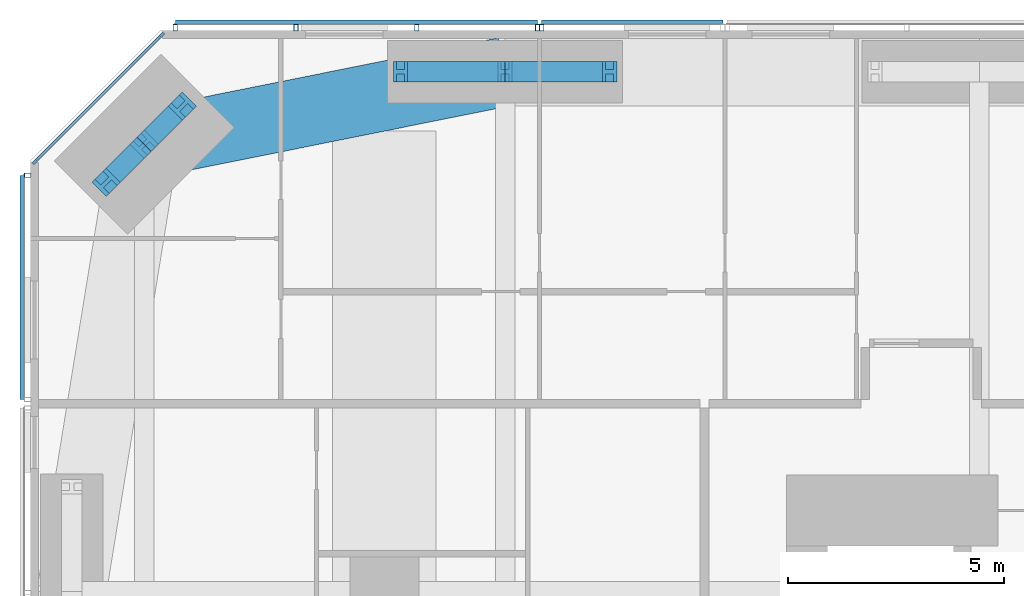
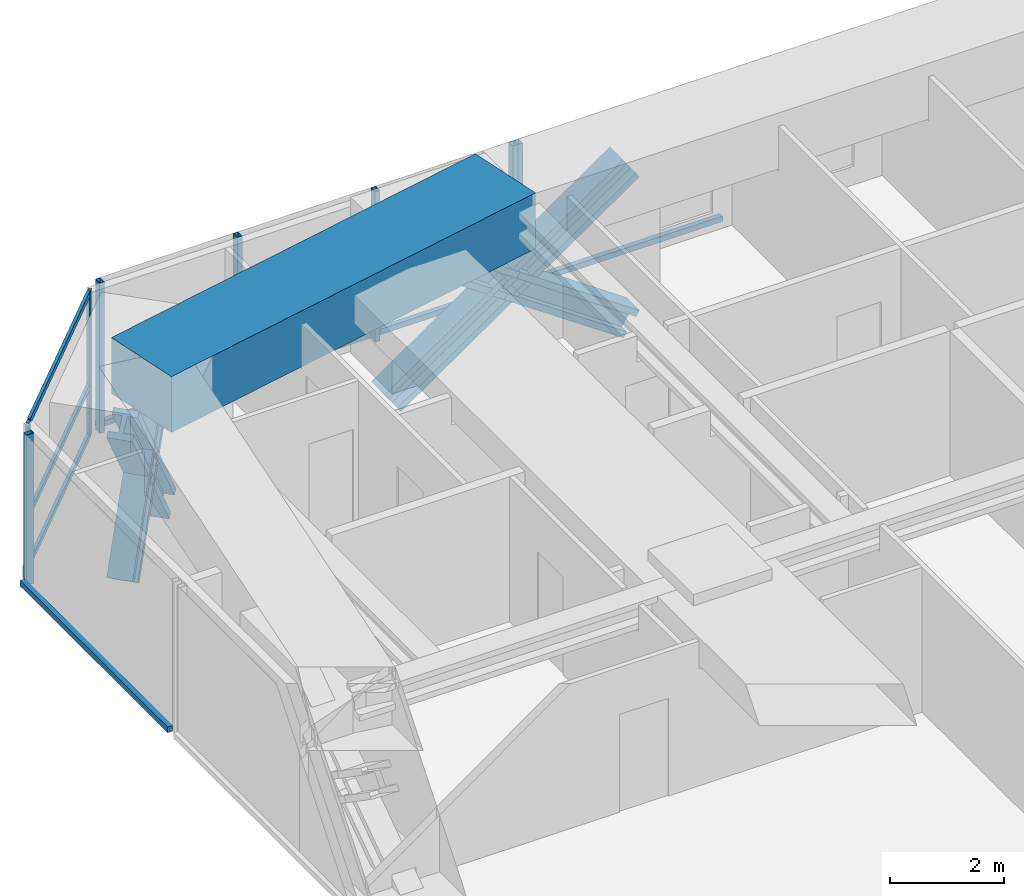
# One storey, part 11 of 23: 22 members, 1 beam, 4 elements without a shape of their own.
"""IFC4 building model written with IfcOpenShell, lengths in metres."""

from ifc_helpers import new_model, si_unit, direction, frame, origin, origin_2d, place, context, subcontext, project, spatial, rectangle, hollow_rectangle, i_section, extrude, material, material_profile, profile_set, type_object, element, aggregate, save


model = new_model("IFC4")

# Units and contexts
model_context = context("Model", 3, precision=1e-05, world=origin(), true_north=direction((0.0, 1.0)))
body_context = subcontext(model_context, "Body", "Model", "MODEL_VIEW")
ifc_project = project(units=[si_unit("LENGTHUNIT", "METRE"), si_unit("AREAUNIT", "SQUARE_METRE"), si_unit("VOLUMEUNIT", "CUBIC_METRE"), si_unit("PLANEANGLEUNIT", "RADIAN"), si_unit("MASSUNIT", "GRAM", prefix="KILO")], contexts=[model_context])

# Site, building, storey
site_placement = place(None, origin())
site = spatial("IfcSite", under=ifc_project, at=site_placement, CompositionType="ELEMENT")
building_placement = place(site_placement, origin())
building = spatial("IfcBuilding", under=site, at=building_placement, Name="Jalousie Tower", CompositionType="ELEMENT")
storey_placement = place(building_placement, frame((0.0, 0.0, 24.35009765625)))
storey = spatial("IfcBuildingStorey", under=building, at=storey_placement, Name="L05", CompositionType="ELEMENT", Elevation=24.35009765625)

# Curtain wall, members
ifc_material_1 = material(Name="Aluminium curtain wall", Category="aluminium")
curtain_wall_type_1 = type_object("IfcCurtainWallType", Name="CORNER WINDOW WALL", PredefinedType="USERDEFINED", material=ifc_material_1)
curtain_wall_1_placement = place(storey_placement, origin())
curtain_wall_1 = element("IfcCurtainWall", 1, at=curtain_wall_1_placement, inside=storey, type_object=curtain_wall_type_1, Name="Corner Window Wall L05 6", ObjectType="CORNER WINDOW WALL", PredefinedType="USERDEFINED")
ifc_material_2 = material(Name="Aluminium mullion", Category="aluminium")
ifc_material_profile_1 = material_profile(ifc_material_2, rectangle(XDim=0.06005859375, YDim=0.14990234375, at=origin_2d()), Name="MULLION 60x150")
ifc_profile_set_1 = profile_set([ifc_material_profile_1], Name="Aluminium mullion")
member_type_1 = type_object("IfcMemberType", Name="CORNER WINDOW WALL MULLION", PredefinedType="MULLION", material=ifc_profile_set_1)
member_1_placement = place(storey_placement, frame((5.030029296875, 37.891357421875, 0.0), z_axis=(0.0, 0.0, 1.0), x_axis=(0.707106781187, -0.707106781187, 0.0)))
member_1 = element("IfcMember", 2, at=member_1_placement, type_object=member_type_1, Name="CW-C mullion 1", PredefinedType="MULLION", context=body_context, shape_type="SweptSolid", body=[
    extrude(rectangle(XDim=0.06005859375, YDim=0.14990234375, at=origin_2d()), origin(), (0.0, 0.0, 1.0), 3.10986328125),
])
member_2_placement = place(storey_placement, frame((2.108642578125, 34.969970703125, 0.0), z_axis=(0.0, 0.0, 1.0), x_axis=(0.707106781187, -0.707106781187, 0.0)))
member_2 = element("IfcMember", 3, at=member_2_placement, type_object=member_type_1, Name="CW-C mullion 2", PredefinedType="MULLION", context=body_context, shape_type="SweptSolid", body=[
    extrude(rectangle(XDim=0.06005859375, YDim=0.14990234375, at=origin_2d()), origin(), (0.0, 0.0, 1.0), 3.10986328125),
])
ifc_material_3 = material(Name="Aluminium transom", Category="aluminium")
ifc_material_profile_2 = material_profile(ifc_material_3, rectangle(XDim=0.06005859375, YDim=0.1201171875, at=origin_2d()), Name="TRANSOM 60x120")
ifc_profile_set_2 = profile_set([ifc_material_profile_2], Name="Aluminium transom")
member_type_2 = type_object("IfcMemberType", Name="CORNER WINDOW WALL TRANSOM", PredefinedType="USERDEFINED", material=ifc_profile_set_2)
member_3_placement = place(storey_placement, frame((5.0087890625, 37.8701171875, 0.02978515625), z_axis=(-0.707106781187, -0.707106781187, 0.0), x_axis=(0.707106781187, -0.707106781187, 0.0)))
member_3 = element("IfcMember", 4, at=member_3_placement, type_object=member_type_2, Name="CW-C transom 1.1", ObjectType="TRANSOM", PredefinedType="USERDEFINED", context=body_context, shape_type="SweptSolid", body=[
    extrude(rectangle(XDim=0.06005859375, YDim=0.1201171875, at=origin_2d()), origin(), (0.0, 0.0, 1.0), 4.0712890625),
])
member_4_placement = place(storey_placement, frame((5.0087890625, 37.8701171875, 1.099853515625), z_axis=(-0.707106781187, -0.707106781187, 0.0), x_axis=(0.707106781187, -0.707106781187, 0.0)))
member_4 = element("IfcMember", 5, at=member_4_placement, type_object=member_type_2, Name="CW-C transom 1.2", ObjectType="TRANSOM", PredefinedType="USERDEFINED", context=body_context, shape_type="SweptSolid", body=[
    extrude(rectangle(XDim=0.06005859375, YDim=0.1201171875, at=origin_2d()), origin(), (0.0, 0.0, 1.0), 4.0712890625),
])
member_5_placement = place(storey_placement, frame((5.0087890625, 37.8701171875, 3.079833984375), z_axis=(-0.707106781187, -0.707106781187, 0.0), x_axis=(0.707106781187, -0.707106781187, 0.0)))
member_5 = element("IfcMember", 6, at=member_5_placement, type_object=member_type_2, Name="CW-C transom 1.3", ObjectType="TRANSOM", PredefinedType="USERDEFINED", context=body_context, shape_type="SweptSolid", body=[
    extrude(rectangle(XDim=0.06005859375, YDim=0.1201171875, at=origin_2d()), origin(), (0.0, 0.0, 1.0), 4.0712890625),
])
aggregate(curtain_wall_1, [member_1, member_2, member_3, member_4, member_5])

# Members
ifc_material_4 = material(Name="Steel ASTM A992 Grade 50", Category="steel")
ifc_material_profile_3 = material_profile(ifc_material_4, i_section(OverallWidth=0.472412109375, OverallDepth=0.5791015625, WebThickness=0.094970703125, FlangeThickness=0.1298828125, at=origin_2d()), Name="W14X808")
ifc_profile_set_3 = profile_set([ifc_material_profile_3], Name="Steel ASTM A992 Grade 50")
member_type_3 = type_object("IfcMemberType", Name="PERIMETER BRACE W14X808", PredefinedType="BRACE", material=ifc_profile_set_3)
for number, where, z_axis, x_axis, name in (
    (7, (10.574951171875, 37.050048828125, -0.60009765625), (0.822800062329, 0.0, 0.568330940062), (0.0, 1.0, 0.0), "Perimeter brace 11 L05 part 1"),
    (8, (13.0, 37.050048828125, 1.074951171875), (0.822800062329, 0.0, 0.568330940062), (0.0, 1.0, 0.0), "Perimeter brace 11 L05 part 2"),
    (9, (15.425048828125, 37.050048828125, -0.60009765625), (-0.822800062329, 0.0, 0.568330940062), (0.0, -1.0, 0.0), "Perimeter brace 11 L05 part 3"),
    (10, (13.0, 37.050048828125, 1.074951171875), (-0.822800062329, 0.0, 0.568330940062), (0.0, -1.0, 0.0), "Perimeter brace 11 L05 part 4"),
):
    element("IfcMember", number, at=place(storey_placement, frame(where, z_axis=z_axis, x_axis=x_axis)), inside=storey, type_object=member_type_3, Name=name, PredefinedType="BRACE", context=body_context, shape_type="SweptSolid", body=[
        extrude(i_section(OverallWidth=0.472412109375, OverallDepth=0.5791015625, WebThickness=0.094970703125, FlangeThickness=0.1298828125, at=origin_2d()), origin(), (0.0, 0.0, 1.0), 2.947265625),
    ])
for number, where, z_axis, x_axis, name in (
    (11, (5.515380859375, 36.25244140625, -0.60009765625), (-0.422968528423, -0.422851718556, 0.801432497518), (0.70700912125, -0.707204427637, 0.0), "Perimeter brace 12 L05 part 1"),
    (12, (4.63134765625, 35.36865234375, 1.074951171875), (-0.422851718556, -0.422968528423, 0.801432497518), (0.707204427637, -0.70700912125, 0.0), "Perimeter brace 12 L05 part 2"),
    (13, (3.74755859375, 34.484619140625, -0.60009765625), (0.422851718556, 0.422968528423, 0.801432497518), (-0.707204427637, 0.70700912125, 0.0), "Perimeter brace 12 L05 part 3"),
    (14, (4.63134765625, 35.36865234375, 1.074951171875), (0.422968528423, 0.422851718556, 0.801432497518), (-0.70700912125, 0.707204427637, 0.0), "Perimeter brace 12 L05 part 4"),
):
    element("IfcMember", number, at=place(storey_placement, frame(where, z_axis=z_axis, x_axis=x_axis)), inside=storey, type_object=member_type_3, Name=name, PredefinedType="BRACE", context=body_context, shape_type="SweptSolid", body=[
        extrude(i_section(OverallWidth=0.472412109375, OverallDepth=0.5791015625, WebThickness=0.094970703125, FlangeThickness=0.1298828125, at=origin_2d()), origin(), (0.0, 0.0, 1.0), 2.090087890625),
    ])

# Beam
ifc_material_5 = material(Name="Concrete f'c 40 MPa", Category="concrete")
ifc_material_profile_4 = material_profile(ifc_material_5, rectangle(XDim=1.60009765625, YDim=1.199951171875, at=origin_2d()), Name="RC 1600x1200")
ifc_profile_set_4 = profile_set([ifc_material_profile_4], Name="Concrete f'c 40 MPa")
beam_type = type_object("IfcBeamType", Name="RC BEAM 1600x1200", PredefinedType="BEAM", material=ifc_profile_set_4)
beam_placement = place(storey_placement, frame((13.0, 37.050048828125, 2.75), z_axis=(-0.980407585444, -0.196979609107, 0.0), x_axis=(0.196979609107, -0.980407585444, 0.0)))
element("IfcBeam", 15, at=beam_placement, inside=storey, type_object=beam_type, Name="Edge band beam 11-12 under L06", PredefinedType="BEAM", context=body_context, shape_type="SweptSolid", body=[
    extrude(rectangle(XDim=1.60009765625, YDim=1.199951171875, at=origin_2d()), origin(), (0.0, 0.0, 1.0), 8.535888671875),
])

# Curtain wall, member
ifc_material_6 = material(Name="Perforated aluminium sheet", Category="aluminium")
curtain_wall_type_2 = type_object("IfcCurtainWallType", Name="SOLAR SCREEN SS-1", PredefinedType="USERDEFINED", material=ifc_material_6)
curtain_wall_2_placement = place(storey_placement, origin())
curtain_wall_2 = element("IfcCurtainWall", 16, at=curtain_wall_2_placement, inside=storey, type_object=curtain_wall_type_2, Name="Solar screen L05", ObjectType="SOLAR SCREEN SS-1", PredefinedType="USERDEFINED")
ifc_material_7 = material(Name="Steel ASTM A500 Grade C", Category="steel")
ifc_material_profile_5 = material_profile(ifc_material_7, hollow_rectangle(XDim=0.1015625, YDim=0.15234375, WallThickness=0.00634765625, at=origin_2d()), Name="HSS6X4X1/4")
ifc_profile_set_5 = profile_set([ifc_material_profile_5], Name="Steel ASTM A500 Grade C")
member_type_4 = type_object("IfcMemberType", Name="SOLAR SCREEN SS-1 MULLION", PredefinedType="MULLION", material=ifc_profile_set_5)
member_6_placement = place(storey_placement, frame((13.85009765625, 38.0712890625, -0.1201171875), z_axis=(0.0, 0.0, 1.0), x_axis=(-1.0, 0.0, 0.0)))
member_6 = element("IfcMember", 17, at=member_6_placement, type_object=member_type_4, Name="SS1 post 2", PredefinedType="MULLION", context=body_context, shape_type="SweptSolid", body=[
    extrude(hollow_rectangle(XDim=0.1015625, YDim=0.15234375, WallThickness=0.00634765625, at=origin_2d()), origin(), (0.0, 0.0, 1.0), 3.22998046875),
])

# Curtain wall, members
curtain_wall_3_placement = place(storey_placement, origin())
curtain_wall_3 = element("IfcCurtainWall", 18, at=curtain_wall_3_placement, inside=storey, type_object=curtain_wall_type_2, Name="Solar screen L05", ObjectType="SOLAR SCREEN SS-1", PredefinedType="USERDEFINED")
member_7_placement = place(storey_placement, frame((13.75, 38.0712890625, -0.1201171875), z_axis=(0.0, 0.0, 1.0), x_axis=(-1.0, 0.0, 0.0)))
member_7 = element("IfcMember", 19, at=member_7_placement, type_object=member_type_4, Name="SS1 post 1", PredefinedType="MULLION", context=body_context, shape_type="SweptSolid", body=[
    extrude(hollow_rectangle(XDim=0.1015625, YDim=0.15234375, WallThickness=0.00634765625, at=origin_2d()), origin(), (0.0, 0.0, 1.0), 3.22998046875),
])
member_8_placement = place(storey_placement, frame((10.950439453125, 38.0712890625, -0.1201171875), z_axis=(0.0, 0.0, 1.0), x_axis=(-1.0, 0.0, 0.0)))
member_8 = element("IfcMember", 20, at=member_8_placement, type_object=member_type_4, Name="SS1 post 2", PredefinedType="MULLION", context=body_context, shape_type="SweptSolid", body=[
    extrude(hollow_rectangle(XDim=0.1015625, YDim=0.15234375, WallThickness=0.00634765625, at=origin_2d()), origin(), (0.0, 0.0, 1.0), 3.22998046875),
])
member_9_placement = place(storey_placement, frame((8.15087890625, 38.0712890625, -0.1201171875), z_axis=(0.0, 0.0, 1.0), x_axis=(-1.0, 0.0, 0.0)))
member_9 = element("IfcMember", 21, at=member_9_placement, type_object=member_type_4, Name="SS1 post 3", PredefinedType="MULLION", context=body_context, shape_type="SweptSolid", body=[
    extrude(hollow_rectangle(XDim=0.1015625, YDim=0.15234375, WallThickness=0.00634765625, at=origin_2d()), origin(), (0.0, 0.0, 1.0), 3.22998046875),
])
member_10_placement = place(storey_placement, frame((5.351318359375, 38.0712890625, -0.1201171875), z_axis=(0.0, 0.0, 1.0), x_axis=(-1.0, 0.0, 0.0)))
member_10 = element("IfcMember", 22, at=member_10_placement, type_object=member_type_4, Name="SS1 post 4", PredefinedType="MULLION", context=body_context, shape_type="SweptSolid", body=[
    extrude(hollow_rectangle(XDim=0.1015625, YDim=0.15234375, WallThickness=0.00634765625, at=origin_2d()), origin(), (0.0, 0.0, 1.0), 3.22998046875),
])

# Curtain wall, member
curtain_wall_4_placement = place(storey_placement, origin())
curtain_wall_4 = element("IfcCurtainWall", 23, at=curtain_wall_4_placement, inside=storey, type_object=curtain_wall_type_2, Name="Solar screen L05", ObjectType="SOLAR SCREEN SS-1", PredefinedType="USERDEFINED")
member_11_placement = place(storey_placement, frame((1.9287109375, 34.648681640625, -0.1201171875), z_axis=(0.0, 0.0, 1.0), x_axis=(0.0, -1.0, 0.0)))
member_11 = element("IfcMember", 24, at=member_11_placement, type_object=member_type_4, Name="SS1 post 1", PredefinedType="MULLION", context=body_context, shape_type="SweptSolid", body=[
    extrude(hollow_rectangle(XDim=0.1015625, YDim=0.15234375, WallThickness=0.00634765625, at=origin_2d()), origin(), (0.0, 0.0, 1.0), 3.22998046875),
])

# Member
ifc_material_8 = material(Name="Extruded aluminium screen rail", Category="aluminium")
ifc_material_profile_6 = material_profile(ifc_material_8, rectangle(XDim=0.1015625, YDim=0.1201171875, at=origin_2d()), Name="RAIL 102x120")
ifc_profile_set_6 = profile_set([ifc_material_profile_6], Name="Extruded aluminium screen rail")
member_type_5 = type_object("IfcMemberType", Name="SOLAR SCREEN SS-1 TRANSOM", PredefinedType="USERDEFINED", material=ifc_profile_set_6)
member_12_placement = place(storey_placement, frame((18.050048828125, 38.1982421875, -0.06005859375), z_axis=(-1.0, 0.0, 0.0), x_axis=(0.0, -1.0, 0.0)))
member_12 = element("IfcMember", 25, at=member_12_placement, type_object=member_type_5, Name="SS1 rail", ObjectType="TRANSOM", PredefinedType="USERDEFINED", context=body_context, shape_type="SweptSolid", body=[
    extrude(rectangle(XDim=0.1015625, YDim=0.1201171875, at=origin_2d()), origin(), (0.0, 0.0, 1.0), 4.199951171875),
])

aggregate(curtain_wall_2, [member_6, member_12])

member_13_placement = place(storey_placement, frame((13.75, 38.1982421875, -0.06005859375), z_axis=(-1.0, 0.0, 0.0), x_axis=(0.0, -1.0, 0.0)))
member_13 = element("IfcMember", 26, at=member_13_placement, type_object=member_type_5, Name="SS1 rail", ObjectType="TRANSOM", PredefinedType="USERDEFINED", context=body_context, shape_type="SweptSolid", body=[
    extrude(rectangle(XDim=0.1015625, YDim=0.1201171875, at=origin_2d()), origin(), (0.0, 0.0, 1.0), 8.398681640625),
])

aggregate(curtain_wall_3, [member_7, member_8, member_9, member_10, member_13])

member_14_placement = place(storey_placement, frame((1.8017578125, 34.648681640625, -0.06005859375), z_axis=(0.0, -1.0, 0.0), x_axis=(1.0, 0.0, 0.0)))
member_14 = element("IfcMember", 27, at=member_14_placement, type_object=member_type_5, Name="SS1 rail", ObjectType="TRANSOM", PredefinedType="USERDEFINED", context=body_context, shape_type="SweptSolid", body=[
    extrude(rectangle(XDim=0.1015625, YDim=0.1201171875, at=origin_2d()), origin(), (0.0, 0.0, 1.0), 5.19873046875),
])

aggregate(curtain_wall_4, [member_11, member_14])

save(model, "model.ifc")
